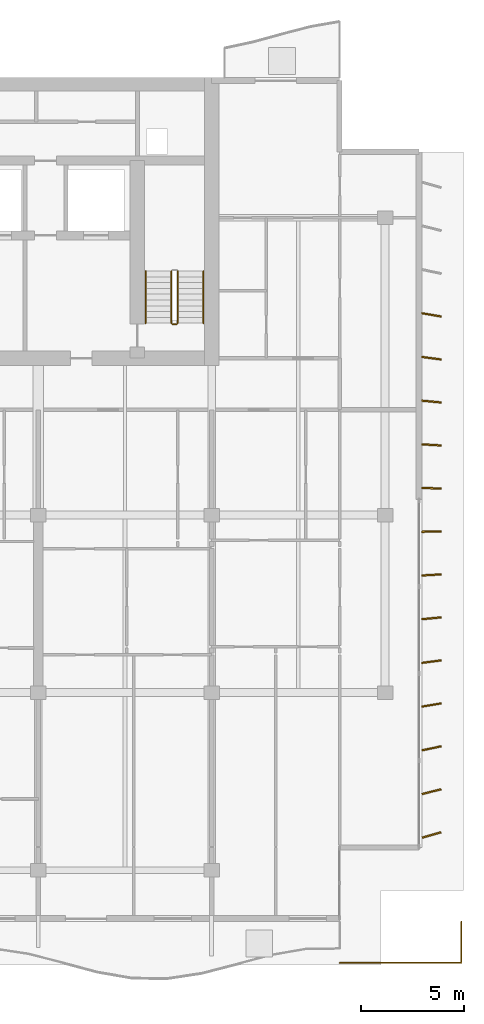
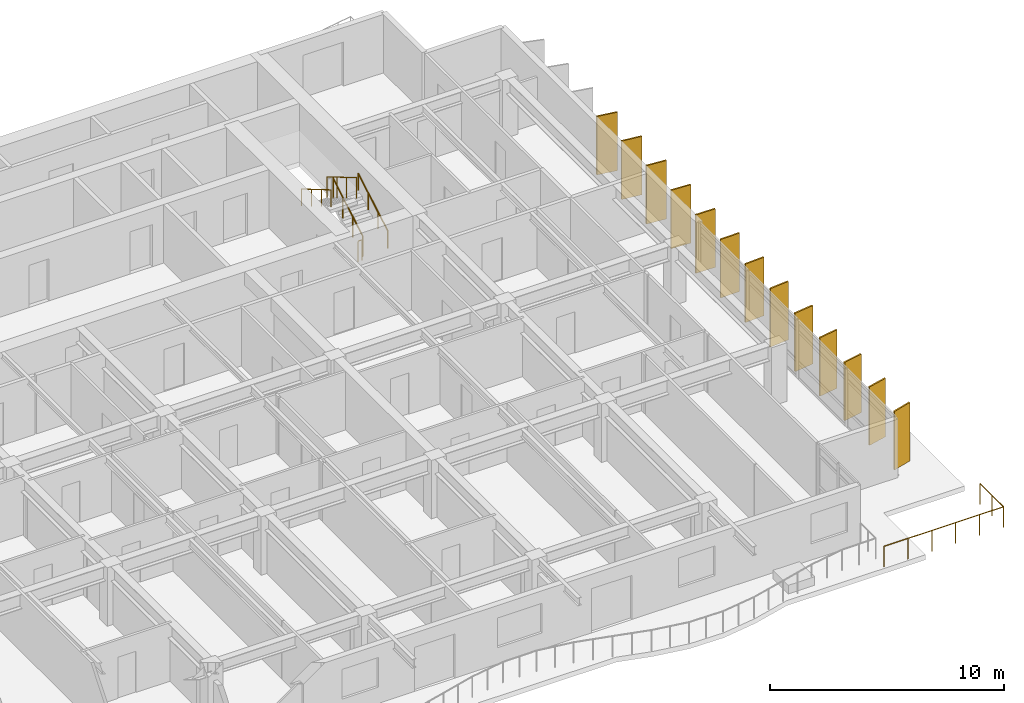
# One storey, part 15 of 17: 13 shading devices, 6 railings.
"""IFC4 building model written with IfcOpenShell, lengths in metres."""

from ifc_helpers import new_model, si_unit, direction, frame, origin, origin_2d, place, context, subcontext, project, spatial, rectangle, circle, extrude, material, material_profile, profile_set, type_object, element, save


model = new_model("IFC4")

# Units and contexts
model_context = context("Model", 3, precision=1e-05, world=origin(), true_north=direction((0.0, 1.0)))
body_context = subcontext(model_context, "Body", "Model", "MODEL_VIEW")
ifc_project = project(units=[si_unit("LENGTHUNIT", "METRE"), si_unit("AREAUNIT", "SQUARE_METRE"), si_unit("VOLUMEUNIT", "CUBIC_METRE"), si_unit("PLANEANGLEUNIT", "RADIAN"), si_unit("MASSUNIT", "GRAM", prefix="KILO")], contexts=[model_context])

# Site, building, storey
site_placement = place(None, origin())
site = spatial("IfcSite", under=ifc_project, at=site_placement, CompositionType="ELEMENT")
building_placement = place(site_placement, origin())
building = spatial("IfcBuilding", under=site, at=building_placement, Name="Caelmar Bay Residences", CompositionType="ELEMENT")
storey_placement = place(building_placement, frame((0.0, 0.0, 226.5)))
storey = spatial("IfcBuildingStorey", under=building, at=storey_placement, Name="L63", CompositionType="ELEMENT", Elevation=226.5)

# Railings
ifc_material_1 = material(Name="Anodised bronze handrail with laminated hurricane glass infill", Category="glass")
railing_type_1 = type_object("IfcRailingType", Name="RL-BAL-1100", PredefinedType="BALUSTRADE", material=ifc_material_1)
railing_1_placement = place(storey_placement, frame((65.699951171875, 7.699951171875, 0.0)))
element("IfcRailing", 1, at=railing_1_placement, inside=storey, type_object=railing_type_1, Name="L63 East Planted Terrace Balustrade", PredefinedType="BALUSTRADE", context=body_context, shape_type="SweptSolid", body=[
    extrude(circle(Radius=0.02392578125, at=origin_2d()), frame((0.0, 0.0, 1.076171875), z_axis=(1.0, 0.0, 0.0), x_axis=(0.0, 1.0, 0.0)), (0.0, 0.0, 1.0), 5.900146484375),
    extrude(circle(Radius=0.02392578125, at=origin_2d()), frame((5.900146484375, 0.0, 1.076171875), z_axis=(0.0, 1.0, 0.0), x_axis=(-1.0, 0.0, 0.0)), (0.0, 0.0, 1.0), 2.0),
    extrude(circle(Radius=0.02099609375, at=origin_2d()), origin(), (0.0, 0.0, 1.0), 1.052001953125),
    extrude(circle(Radius=0.02099609375, at=origin_2d()), frame((1.179931640625, 0.0, 0.0)), (0.0, 0.0, 1.0), 1.052001953125),
    extrude(circle(Radius=0.02099609375, at=origin_2d()), frame((2.360107421875, 0.0, 0.0)), (0.0, 0.0, 1.0), 1.052001953125),
    extrude(circle(Radius=0.02099609375, at=origin_2d()), frame((3.5400390625, 0.0, 0.0)), (0.0, 0.0, 1.0), 1.052001953125),
    extrude(circle(Radius=0.02099609375, at=origin_2d()), frame((4.72021484375, 0.0, 0.0)), (0.0, 0.0, 1.0), 1.052001953125),
    extrude(circle(Radius=0.02099609375, at=origin_2d()), frame((5.900146484375, 0.0, 0.0)), (0.0, 0.0, 1.0), 1.052001953125),
    extrude(circle(Radius=0.02099609375, at=origin_2d()), frame((5.900146484375, 1.0, 0.0)), (0.0, 0.0, 1.0), 1.052001953125),
    extrude(circle(Radius=0.02099609375, at=origin_2d()), frame((5.900146484375, 2.0, 0.0)), (0.0, 0.0, 1.0), 1.052001953125),
])
ifc_material_2 = material(Name="Painted galvanized steel stair guard 1100 mm", Category="steel")
railing_type_2 = type_object("IfcRailingType", Name="RL-GRD-1100", PredefinedType="GUARDRAIL", material=ifc_material_2)
railing_2_placement = place(storey_placement, frame((57.85009765625, 38.699951171875, 0.1650390625)))
element("IfcRailing", 2, at=railing_2_placement, inside=storey, type_object=railing_type_2, Name="L63 ST2 stair guard 1", PredefinedType="GUARDRAIL", context=body_context, shape_type="SweptSolid", body=[
    extrude(circle(Radius=0.02392578125, at=origin_2d()), frame((0.0, 0.0, 1.076171875), z_axis=(0.0, 0.861560626758, 0.507654692109), x_axis=(-1.0, 0.0, 0.0)), (0.0, 0.0, 1.0), 2.925048828125),
    extrude(circle(Radius=0.02099609375, at=origin_2d()), origin(), (0.0, 0.0, 1.0), 1.052001953125),
    extrude(circle(Radius=0.02099609375, at=origin_2d()), frame((0.0, 0.840087890625, 0.494873046875)), (0.0, 0.0, 1.0), 1.052001953125),
    extrude(circle(Radius=0.02099609375, at=origin_2d()), frame((0.0, 1.679931640625, 0.989990234375)), (0.0, 0.0, 1.0), 1.052001953125),
    extrude(circle(Radius=0.02099609375, at=origin_2d()), frame((0.0, 2.52001953125, 1.48486328125)), (0.0, 0.0, 1.0), 1.052001953125),
])
railing_3_placement = place(storey_placement, frame((57.550048828125, 41.219970703125, 1.81494140625)))
element("IfcRailing", 3, at=railing_3_placement, inside=storey, type_object=railing_type_2, Name="L63 ST2 stair guard 3", PredefinedType="GUARDRAIL", context=body_context, shape_type="SweptSolid", body=[
    extrude(circle(Radius=0.02392578125, at=origin_2d()), frame((0.0, 0.0, 1.076171875), z_axis=(0.0, -0.86152411907, 0.507716645641), x_axis=(1.0, 0.0, 0.0)), (0.0, 0.0, 1.0), 2.925048828125),
    extrude(circle(Radius=0.02099609375, at=origin_2d()), origin(), (0.0, 0.0, 1.0), 1.052001953125),
    extrude(circle(Radius=0.02099609375, at=origin_2d()), frame((0.0, -0.840087890625, 0.4951171875)), (0.0, 0.0, 1.0), 1.052001953125),
    extrude(circle(Radius=0.02099609375, at=origin_2d()), frame((0.0, -1.679931640625, 0.989990234375)), (0.0, 0.0, 1.0), 1.052001953125),
    extrude(circle(Radius=0.02099609375, at=origin_2d()), frame((0.0, -2.52001953125, 1.485107421875)), (0.0, 0.0, 1.0), 1.052001953125),
])
railing_4_placement = place(storey_placement, frame((57.800048828125, 38.64990234375, 0.0)))
element("IfcRailing", 4, at=railing_4_placement, inside=storey, type_object=railing_type_2, Name="L63 ST2 stair guard 4", PredefinedType="GUARDRAIL", context=body_context, shape_type="SweptSolid", body=[
    extrude(circle(Radius=0.02392578125, at=origin_2d()), frame((0.0, 0.0, 1.076171875), z_axis=(-1.0, 0.0, 0.0), x_axis=(0.0, -1.0, 0.0)), (0.0, 0.0, 1.0), 0.199951171875),
    extrude(circle(Radius=0.02099609375, at=origin_2d()), origin(), (0.0, 0.0, 1.0), 1.052001953125),
    extrude(circle(Radius=0.02099609375, at=origin_2d()), frame((-0.199951171875, 0.0, 0.0)), (0.0, 0.0, 1.0), 1.052001953125),
])
ifc_material_3 = material(Name="Brushed bronze stainless-steel tubular handrail 900 mm", Category="steel")
railing_type_3 = type_object("IfcRailingType", Name="RL-HND-900", PredefinedType="HANDRAIL", material=ifc_material_3)
railing_5_placement = place(storey_placement, frame((59.10009765625, 38.699951171875, 0.1650390625)))
element("IfcRailing", 5, at=railing_5_placement, inside=storey, type_object=railing_type_3, Name="L63 ST2 stair handrail 1", PredefinedType="HANDRAIL", context=body_context, shape_type="SweptSolid", body=[
    extrude(circle(Radius=0.02392578125, at=origin_2d()), frame((0.0, 0.0, 0.8759765625), z_axis=(0.0, 0.861560626758, 0.507654692109), x_axis=(-1.0, 0.0, 0.0)), (0.0, 0.0, 1.0), 2.925048828125),
    extrude(circle(Radius=0.02099609375, at=origin_2d()), origin(), (0.0, 0.0, 1.0), 0.851806640625),
    extrude(circle(Radius=0.02099609375, at=origin_2d()), frame((0.0, 0.840087890625, 0.494873046875)), (0.0, 0.0, 1.0), 0.851806640625),
    extrude(circle(Radius=0.02099609375, at=origin_2d()), frame((0.0, 1.679931640625, 0.989990234375)), (0.0, 0.0, 1.0), 0.851806640625),
    extrude(circle(Radius=0.02099609375, at=origin_2d()), frame((0.0, 2.52001953125, 1.48486328125)), (0.0, 0.0, 1.0), 0.851806640625),
])
railing_6_placement = place(storey_placement, frame((56.300048828125, 41.219970703125, 1.81494140625)))
element("IfcRailing", 6, at=railing_6_placement, inside=storey, type_object=railing_type_3, Name="L63 ST2 stair handrail 2", PredefinedType="HANDRAIL", context=body_context, shape_type="SweptSolid", body=[
    extrude(circle(Radius=0.02392578125, at=origin_2d()), frame((0.0, 0.0, 0.8759765625), z_axis=(0.0, -0.86152411907, 0.507716645641), x_axis=(1.0, 0.0, 0.0)), (0.0, 0.0, 1.0), 2.925048828125),
    extrude(circle(Radius=0.02099609375, at=origin_2d()), origin(), (0.0, 0.0, 1.0), 0.851806640625),
    extrude(circle(Radius=0.02099609375, at=origin_2d()), frame((0.0, -0.840087890625, 0.4951171875)), (0.0, 0.0, 1.0), 0.851806640625),
    extrude(circle(Radius=0.02099609375, at=origin_2d()), frame((0.0, -1.679931640625, 0.989990234375)), (0.0, 0.0, 1.0), 0.851806640625),
    extrude(circle(Radius=0.02099609375, at=origin_2d()), frame((0.0, -2.52001953125, 1.485107421875)), (0.0, 0.0, 1.0), 0.851806640625),
])

# Shading devices
ifc_material_4 = material(Name="Anodised architectural bronze aluminium 6063-T6", Category="aluminium")
ifc_material_profile = material_profile(ifc_material_4, rectangle(XDim=0.074951171875, YDim=0.949951171875, at=origin_2d()), Name="BRONZE-FIN-75X950")
ifc_profile_set = profile_set([ifc_material_profile], Name="Anodised architectural bronze aluminium 6063-T6")
shading_device_type = type_object("IfcShadingDeviceType", Name="SHD-FIN-950", PredefinedType="USERDEFINED", material=ifc_profile_set)
for number, where, z_axis, x_axis, name in (
    (7, (70.14990234375, 13.89990234375, 0.0), (0.0, 0.0, 1.0), (-0.275637355817, 0.961261695938, 0.0), "L63 East Bronze Solar Fin 1"),
    (8, (70.14990234375, 16.0, 0.0), (0.0, 0.0, 1.0), (-0.239719743609, 0.970842131618, 0.0), "L63 East Bronze Solar Fin 2"),
    (9, (70.14990234375, 18.10009765625, 0.0), (0.0, 0.0, 1.0), (-0.2032999874, 0.979116497217, 0.0), "L63 East Bronze Solar Fin 3"),
    (10, (70.14990234375, 20.199951171875, 0.0), (0.0, 0.0, 1.0), (-0.166768746716, 0.985996037071, 0.0), "L63 East Bronze Solar Fin 4"),
    (11, (70.14990234375, 22.300048828125, 0.0), (0.0, 0.0, 1.0), (-0.130007055036, 0.99151306882, 0.0), "L63 East Bronze Solar Fin 5"),
    (12, (70.14990234375, 24.39990234375, 0.0), (0.0, 0.0, 1.0), (-0.092891934994, 0.995676196569, 0.0), "L63 East Bronze Solar Fin 6"),
    (13, (70.14990234375, 26.5, 0.0), (0.0, 0.0, 1.0), (-0.055821504993, 0.998440764182, 0.0), "L63 East Bronze Solar Fin 7"),
    (14, (70.14990234375, 28.60009765625, 0.0), (0.0, 0.0, 1.0), (-0.018673937509, 0.999825626826, 0.0), "L63 East Bronze Solar Fin 8"),
    (15, (70.14990234375, 30.699951171875, 0.0), (0.0, 0.0, 1.0), (0.018673937509, 0.999825626826, 0.0), "L63 East Bronze Solar Fin 9"),
    (16, (70.14990234375, 32.800048828125, 0.0), (0.0, 0.0, 1.0), (0.055821504993, 0.998440764182, 0.0), "L63 East Bronze Solar Fin 10"),
    (17, (70.14990234375, 34.89990234375, 0.0), (0.0, 0.0, 1.0), (0.092891934994, 0.995676196569, 0.0), "L63 East Bronze Solar Fin 11"),
    (18, (70.14990234375, 37.0, 0.0), (0.0, 0.0, 1.0), (0.130007055036, 0.99151306882, 0.0), "L63 East Bronze Solar Fin 12"),
    (19, (70.14990234375, 39.10009765625, 0.0), (0.0, 0.0, 1.0), (0.166768746716, 0.985996037071, 0.0), "L63 East Bronze Solar Fin 13"),
):
    element("IfcShadingDevice", number, at=place(storey_placement, frame(where, z_axis=z_axis, x_axis=x_axis)), inside=storey, type_object=shading_device_type, Name=name, ObjectType="FIN", PredefinedType="USERDEFINED", context=body_context, shape_type="SweptSolid", body=[
        extrude(rectangle(XDim=0.074951171875, YDim=0.949951171875, at=origin_2d()), origin(), (0.0, 0.0, 1.0), 3.050048828125),
    ])

save(model, "model.ifc")
